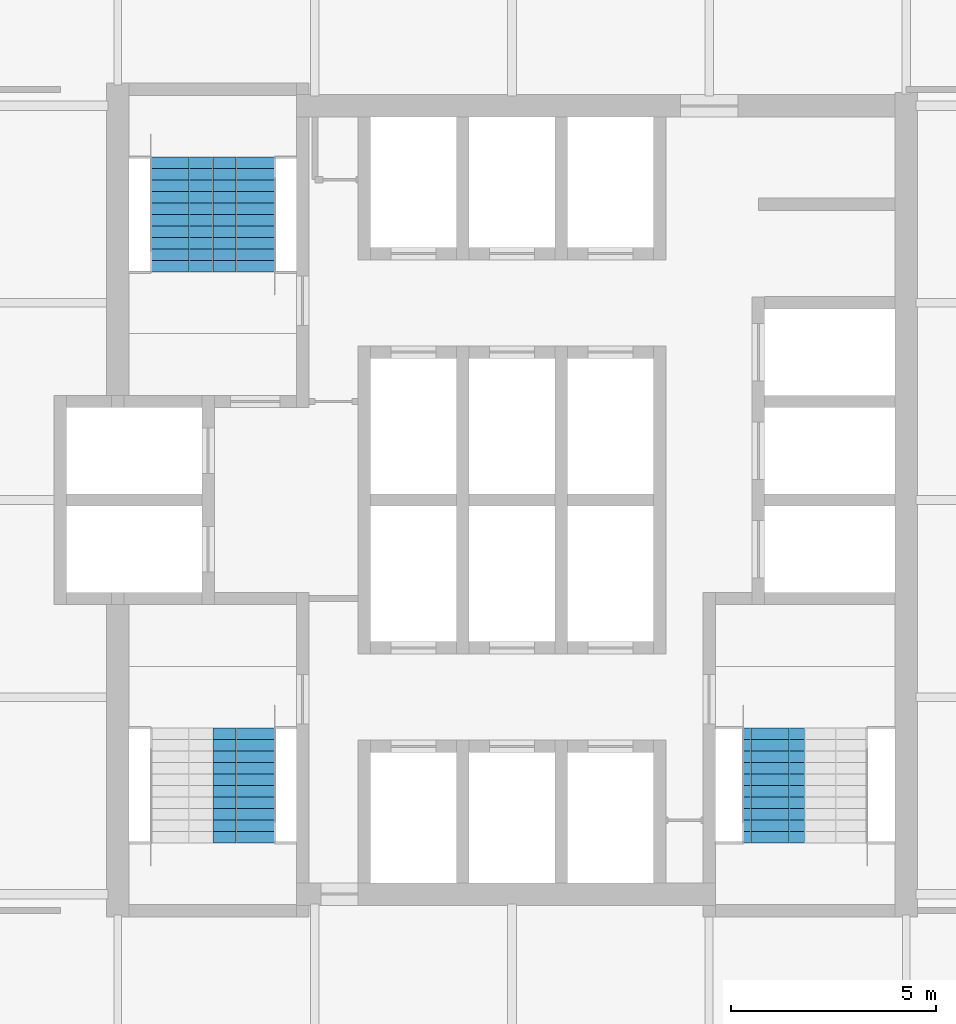
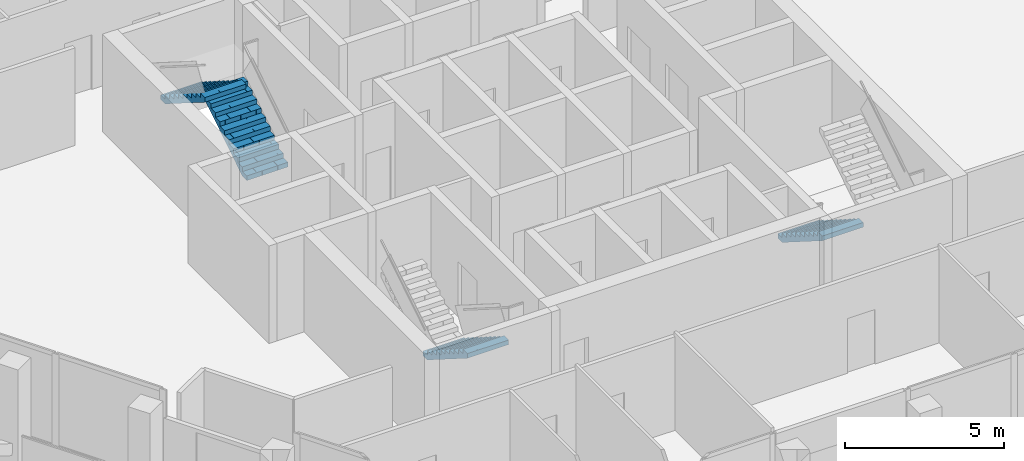
# One storey, part 11 of 14: 4 stair flights, 3 elements without a shape of their own.
"""IFC4 building model written with IfcOpenShell, lengths in metres."""

import ifcopenshell
import ifcopenshell.guid

model = None  # the IFC model being written
_history = None  # IfcOwnerHistory: only IFC2X3 demands one
_inside = {}  # id of a spatial element -> (the spatial element, [elements in it])
_under = {}  # id of a project, library or spatial element -> (it, [spatial elements below it])
_declared = {}  # id of a project -> (the project, [libraries it declares])
_typed = {}  # id of a type object -> (the type object, [elements of that type])
_made_of = {}  # id of a material, layer set ... -> (it, [elements and type objects made of it])


def new_model(schema):
    """Start an empty IFC model of exactly this schema.

    Asked for "IFC4X3", IfcOpenShell would pick the latest addendum, in which some entities
    have other attributes; the version numbers below select the first issue.
    IFC2X3 requires an IfcOwnerHistory on every rooted entity: one is made here for all.
    """
    global model, _history
    if schema == "IFC4X3":
        model = ifcopenshell.file(schema_version=(4, 3, 0, 0))
    else:
        model = ifcopenshell.file(schema=schema)
    _inside.clear()
    _under.clear()
    _declared.clear()
    _typed.clear()
    _made_of.clear()
    _history = None
    if model.schema == "IFC2X3":
        org = make("IfcOrganization", Name="unknown")
        user = make(
            "IfcPersonAndOrganization",
            ThePerson=make("IfcPerson", FamilyName="unknown"),
            TheOrganization=org,
        )
        app = make(
            "IfcApplication",
            ApplicationDeveloper=org,
            Version="unknown",
            ApplicationFullName="unknown",
            ApplicationIdentifier="unknown",
        )
        _history = make(
            "IfcOwnerHistory",
            OwningUser=user,
            OwningApplication=app,
            ChangeAction="ADDED",
            CreationDate=0,
        )
    return model


def make(cls, **values):
    """One entity of the class cls with the attributes given. An attribute that is None is left unset."""
    return model.create_entity(
        cls, **{name: value for name, value in values.items() if value is not None}
    )


def rooted(cls, **values):
    """An entity with a GlobalId (a new one), such as an element, a storey or a relation."""
    return make(cls, GlobalId=ifcopenshell.guid.new(), OwnerHistory=_history, **values)


def si_unit(unit_type, name, prefix=None):
    """IfcSIUnit, for example si_unit("LENGTHUNIT", "METRE", prefix="MILLI")."""
    return make("IfcSIUnit", UnitType=unit_type, Prefix=prefix, Name=name)


def assignment(units):
    """IfcUnitAssignment: the units of a project."""
    return None if units is None else make("IfcUnitAssignment", Units=units)


def point(xyz):
    """IfcCartesianPoint."""
    return None if xyz is None else make("IfcCartesianPoint", Coordinates=xyz)


def direction(xyz):
    """IfcDirection."""
    return None if xyz is None else make("IfcDirection", DirectionRatios=xyz)


def frame(location, z_axis=None, x_axis=None):
    """IfcAxis2Placement3D, a coordinate frame: its origin and axes. An axis left out is left unset."""
    return make(
        "IfcAxis2Placement3D",
        Location=point(location),
        Axis=direction(z_axis),
        RefDirection=direction(x_axis),
    )


def origin():
    """The frame at (0, 0, 0) with its axes left unset."""
    return frame((0.0, 0.0, 0.0))


def place(relative_to, where):
    """IfcLocalPlacement: puts the frame where relative to a parent placement (None: the world)."""
    return make(
        "IfcLocalPlacement", PlacementRelTo=relative_to, RelativePlacement=where
    )


def context(
    kind, dimensions, precision=None, world=None, true_north=None, identifier=None
):
    """IfcGeometricRepresentationContext, for example the 3D "Model" context."""
    return make(
        "IfcGeometricRepresentationContext",
        ContextIdentifier=identifier,
        ContextType=kind,
        CoordinateSpaceDimension=dimensions,
        Precision=precision,
        WorldCoordinateSystem=world,
        TrueNorth=true_north,
    )


def subcontext(parent, identifier, kind, view, scale=None):
    """IfcGeometricRepresentationSubContext, for example "Body" below "Model"."""
    return make(
        "IfcGeometricRepresentationSubContext",
        ContextIdentifier=identifier,
        ContextType=kind,
        ParentContext=parent,
        TargetScale=scale,
        TargetView=view,
    )


def project(units=None, contexts=None):
    """IfcProject with its units and contexts."""
    return rooted(
        "IfcProject",
        Name="project",
        RepresentationContexts=contexts,
        UnitsInContext=assignment(units),
    )


def spatial(cls, under=None, at=None, **own):
    """A site, building, storey or space (cls), placed at a placement, below another one or the project."""
    s = rooted(cls, ObjectPlacement=at, **own)
    if under is not None:
        _under.setdefault(under.id(), (under, []))[1].append(s)
    return s


def polyline(points):
    """IfcPolyline through the points."""
    return make("IfcPolyline", Points=[point(p) for p in points])


def outline(outer, holes=None, kind="AREA"):
    """IfcArbitraryClosedProfileDef: a profile drawn as a closed curve; with holes, ...WithVoids."""
    if holes is None:
        return make("IfcArbitraryClosedProfileDef", ProfileType=kind, OuterCurve=outer)
    return make(
        "IfcArbitraryProfileDefWithVoids",
        ProfileType=kind,
        OuterCurve=outer,
        InnerCurves=holes,
    )


def extrude(swept, where, along, depth):
    """IfcExtrudedAreaSolid: the profile swept, set in the frame where, extruded along a direction by depth."""
    return make(
        "IfcExtrudedAreaSolid",
        SweptArea=swept,
        Position=where,
        ExtrudedDirection=direction(along),
        Depth=depth,
    )


def shape(context_of_items, identifier, shape_type, items):
    """IfcShapeRepresentation: the items that make up one representation, for example the "Body"."""
    return make(
        "IfcShapeRepresentation",
        ContextOfItems=context_of_items,
        RepresentationIdentifier=identifier,
        RepresentationType=shape_type,
        Items=items,
    )


def material(Name=None, Category=None):
    """IfcMaterial."""
    return make("IfcMaterial", Name=Name, Category=Category)


def made_of(thing, what):
    """Note that an element or type object is made of a material, layer set ...; save() writes the relation."""
    if what is not None:
        _made_of.setdefault(what.id(), (what, []))[1].append(thing)
    return thing


def type_object(cls, material=None, **own):
    """A type object (cls), such as IfcWallType, which elements share."""
    return made_of(rooted(cls, **own), material)


def element(
    cls,
    number,
    at=None,
    inside=None,
    cuts=None,
    type_object=None,
    material=None,
    context=None,
    identifier="Body",
    shape_type=None,
    held_by="IfcProductDefinitionShape",
    body=None,
    shapes=None,
    **own,
):
    """One element of the class cls, such as IfcWall. Its Tag is "e" and its number.

    at: its placement. inside: the storey or other place that contains it. cuts: it is an
    opening in that element (IfcRelVoidsElement). A single representation is given by context,
    identifier, shape_type and body (its items); several are given by shapes. held_by: the class
    of the entity that holds the representations. save() writes the other relations.
    """
    e = rooted(cls, Tag="e%d" % number, ObjectPlacement=at, **own)
    if body is not None:
        shapes = [shape(context, identifier, shape_type, body)]
    if shapes is not None:
        e.Representation = make(held_by, Representations=shapes)
    if inside is not None:
        _inside.setdefault(inside.id(), (inside, []))[1].append(e)
    if cuts is not None:
        rooted(
            "IfcRelVoidsElement", RelatingBuildingElement=cuts, RelatedOpeningElement=e
        )
    if type_object is not None:
        _typed.setdefault(type_object.id(), (type_object, []))[1].append(e)
    return made_of(e, material)


def aggregate(whole, parts):
    """IfcRelAggregates: a whole, such as a stair, and the parts it consists of."""
    return rooted("IfcRelAggregates", RelatingObject=whole, RelatedObjects=parts)


def save(model, path):
    """Write the relations noted so far, then the file.

    IfcRelAggregates (storeys below a building ...), IfcRelContainedInSpatialStructure (elements
    in a storey), IfcRelDefinesByType, IfcRelAssociatesMaterial and IfcRelDeclares: one each for
    every whole, place, type object, material and project.
    """
    for whole, parts in _under.values():
        aggregate(whole, parts)
    for where, things in _inside.values():
        rooted(
            "IfcRelContainedInSpatialStructure",
            RelatedElements=things,
            RelatingStructure=where,
        )
    for kind, things in _typed.values():
        rooted("IfcRelDefinesByType", RelatedObjects=things, RelatingType=kind)
    for what, things in _made_of.values():
        rooted("IfcRelAssociatesMaterial", RelatedObjects=things, RelatingMaterial=what)
    for by, libraries in _declared.values():
        rooted("IfcRelDeclares", RelatingContext=by, RelatedDefinitions=libraries)
    model.write(path)


model = new_model("IFC4")

# Units and contexts
model_context = context("Model", 3, precision=1e-05, world=origin(), true_north=direction((0.0, 1.0)))
body_context = subcontext(model_context, "Body", "Model", "MODEL_VIEW")
ifc_project = project(units=[si_unit("LENGTHUNIT", "METRE"), si_unit("AREAUNIT", "SQUARE_METRE"), si_unit("VOLUMEUNIT", "CUBIC_METRE"), si_unit("PLANEANGLEUNIT", "RADIAN"), si_unit("MASSUNIT", "GRAM", prefix="KILO")], contexts=[model_context])

# Site, building, storey
site_placement = place(None, origin())
site = spatial("IfcSite", under=ifc_project, at=site_placement, CompositionType="ELEMENT")
building_placement = place(site_placement, origin())
building = spatial("IfcBuilding", under=site, at=building_placement, Name="Kolab Exchange Tower", CompositionType="ELEMENT")
storey_placement = place(building_placement, frame((0.0, 0.0, 234.5)))
storey = spatial("IfcBuildingStorey", under=building, at=storey_placement, Name="L51", CompositionType="ELEMENT", Elevation=234.5)

# Stair, stair flights
ifc_material = material(Name="Concrete C50/60", Category="concrete")
stair_type_1 = type_object("IfcStairType", Name="STAIR ST1 RISER 177.3", PredefinedType="HALF_TURN_STAIR", material=ifc_material)
stair_1_placement = place(storey_placement, origin())
stair_1 = element("IfcStair", 1, at=stair_1_placement, inside=storey, type_object=stair_type_1, Name="Stair 1", PredefinedType="HALF_TURN_STAIR")
stair_flight_type = type_object("IfcStairFlightType", Name="STAIR FLIGHT 1500 RISER 177.3", PredefinedType="STRAIGHT", material=ifc_material)
stair_flight_1_placement = place(storey_placement, frame((-6.527587890625, 5.550048828125, 0.0), z_axis=(0.0, 0.0, 1.0), x_axis=(0.0, 1.0, 0.0)))
stair_flight_1 = element("IfcStairFlight", 2, at=stair_flight_1_placement, type_object=stair_flight_type, Name="ST1 flight 1", NumberOfRisers=11, NumberOfTreads=10, PredefinedType="STRAIGHT", RiserHeight=0.177272727, TreadLength=0.28, context=body_context, shape_type="SweptSolid", body=[
    extrude(outline(polyline([(0.0, 0.0), (0.0, 0.17724609375), (0.280029296875, 0.17724609375), (0.280029296875, 0.3544921875), (0.56005859375, 0.3544921875), (0.56005859375, 0.53173828125), (0.840087890625, 0.53173828125), (0.840087890625, 0.708984375), (1.1201171875, 0.708984375), (1.1201171875, 0.886474609375), (1.39990234375, 0.886474609375), (1.39990234375, 1.063720703125), (1.679931640625, 1.063720703125), (1.679931640625, 1.240966796875), (1.9599609375, 1.240966796875), (1.9599609375, 1.418212890625), (2.239990234375, 1.418212890625), (2.239990234375, 1.595458984375), (2.52001953125, 1.595458984375), (2.52001953125, 1.772705078125), (2.800048828125, 1.772705078125), (2.800048828125, 1.949951171875), (2.800048828125, 1.59521484375), (0.2802734375, 0.0), (0.0, 0.0)])), frame((0.0, 0.75, 0.0), z_axis=(0.0, -1.0, 0.0), x_axis=(1.0, 0.0, 0.0)), (0.0, 0.0, 1.0), 0.185791015625),
    extrude(outline(polyline([(0.0, 0.0), (0.0, 0.17724609375), (0.280029296875, 0.17724609375), (0.280029296875, 0.3544921875), (0.56005859375, 0.3544921875), (0.56005859375, 0.53173828125), (0.840087890625, 0.53173828125), (0.840087890625, 0.708984375), (1.1201171875, 0.708984375), (1.1201171875, 0.886474609375), (1.39990234375, 0.886474609375), (1.39990234375, 1.063720703125), (1.679931640625, 1.063720703125), (1.679931640625, 1.240966796875), (1.9599609375, 1.240966796875), (1.9599609375, 1.418212890625), (2.239990234375, 1.418212890625), (2.239990234375, 1.595458984375), (2.52001953125, 1.595458984375), (2.52001953125, 1.772705078125), (2.800048828125, 1.772705078125), (2.800048828125, 1.949951171875), (2.800048828125, 1.59521484375), (0.2802734375, 0.0), (0.0, 0.0)])), frame((0.0, 0.562255859375, 0.0), z_axis=(0.0, -1.0, 0.0), x_axis=(1.0, 0.0, 0.0)), (0.0, 0.0, 1.0), 0.185791015625),
    extrude(outline(polyline([(0.0, 0.0), (0.0, 0.17724609375), (0.280029296875, 0.17724609375), (0.280029296875, 0.3544921875), (0.56005859375, 0.3544921875), (0.56005859375, 0.53173828125), (0.840087890625, 0.53173828125), (0.840087890625, 0.708984375), (1.1201171875, 0.708984375), (1.1201171875, 0.886474609375), (1.39990234375, 0.886474609375), (1.39990234375, 1.063720703125), (1.679931640625, 1.063720703125), (1.679931640625, 1.240966796875), (1.9599609375, 1.240966796875), (1.9599609375, 1.418212890625), (2.239990234375, 1.418212890625), (2.239990234375, 1.595458984375), (2.52001953125, 1.595458984375), (2.52001953125, 1.772705078125), (2.800048828125, 1.772705078125), (2.800048828125, 1.949951171875), (2.800048828125, 1.59521484375), (0.2802734375, 0.0), (0.0, 0.0)])), frame((0.0, 0.37451171875, 0.0), z_axis=(0.0, -1.0, 0.0), x_axis=(1.0, 0.0, 0.0)), (0.0, 0.0, 1.0), 0.185791015625),
    extrude(outline(polyline([(0.0, 0.0), (0.0, 0.17724609375), (0.280029296875, 0.17724609375), (0.280029296875, 0.3544921875), (0.56005859375, 0.3544921875), (0.56005859375, 0.53173828125), (0.840087890625, 0.53173828125), (0.840087890625, 0.708984375), (1.1201171875, 0.708984375), (1.1201171875, 0.886474609375), (1.39990234375, 0.886474609375), (1.39990234375, 1.063720703125), (1.679931640625, 1.063720703125), (1.679931640625, 1.240966796875), (1.9599609375, 1.240966796875), (1.9599609375, 1.418212890625), (2.239990234375, 1.418212890625), (2.239990234375, 1.595458984375), (2.52001953125, 1.595458984375), (2.52001953125, 1.772705078125), (2.800048828125, 1.772705078125), (2.800048828125, 1.949951171875), (2.800048828125, 1.59521484375), (0.2802734375, 0.0), (0.0, 0.0)])), frame((0.0, 0.186767578125, 0.0), z_axis=(0.0, -1.0, 0.0), x_axis=(1.0, 0.0, 0.0)), (0.0, 0.0, 1.0), 0.185791015625),
    extrude(outline(polyline([(0.0, 0.0), (0.0, 0.17724609375), (0.280029296875, 0.17724609375), (0.280029296875, 0.3544921875), (0.56005859375, 0.3544921875), (0.56005859375, 0.53173828125), (0.840087890625, 0.53173828125), (0.840087890625, 0.708984375), (1.1201171875, 0.708984375), (1.1201171875, 0.886474609375), (1.39990234375, 0.886474609375), (1.39990234375, 1.063720703125), (1.679931640625, 1.063720703125), (1.679931640625, 1.240966796875), (1.9599609375, 1.240966796875), (1.9599609375, 1.418212890625), (2.239990234375, 1.418212890625), (2.239990234375, 1.595458984375), (2.52001953125, 1.595458984375), (2.52001953125, 1.772705078125), (2.800048828125, 1.772705078125), (2.800048828125, 1.949951171875), (2.800048828125, 1.59521484375), (0.2802734375, 0.0), (0.0, 0.0)])), frame((0.0, -0.0009765625, 0.0), z_axis=(0.0, -1.0, 0.0), x_axis=(1.0, 0.0, 0.0)), (0.0, 0.0, 1.0), 0.185791015625),
    extrude(outline(polyline([(0.0, 0.0), (0.0, 0.17724609375), (0.280029296875, 0.17724609375), (0.280029296875, 0.3544921875), (0.56005859375, 0.3544921875), (0.56005859375, 0.53173828125), (0.840087890625, 0.53173828125), (0.840087890625, 0.708984375), (1.1201171875, 0.708984375), (1.1201171875, 0.886474609375), (1.39990234375, 0.886474609375), (1.39990234375, 1.063720703125), (1.679931640625, 1.063720703125), (1.679931640625, 1.240966796875), (1.9599609375, 1.240966796875), (1.9599609375, 1.418212890625), (2.239990234375, 1.418212890625), (2.239990234375, 1.595458984375), (2.52001953125, 1.595458984375), (2.52001953125, 1.772705078125), (2.800048828125, 1.772705078125), (2.800048828125, 1.949951171875), (2.800048828125, 1.59521484375), (0.2802734375, 0.0), (0.0, 0.0)])), frame((0.0, -0.188720703125, 0.0), z_axis=(0.0, -1.0, 0.0), x_axis=(1.0, 0.0, 0.0)), (0.0, 0.0, 1.0), 0.185791015625),
    extrude(outline(polyline([(0.0, 0.0), (0.0, 0.17724609375), (0.280029296875, 0.17724609375), (0.280029296875, 0.3544921875), (0.56005859375, 0.3544921875), (0.56005859375, 0.53173828125), (0.840087890625, 0.53173828125), (0.840087890625, 0.708984375), (1.1201171875, 0.708984375), (1.1201171875, 0.886474609375), (1.39990234375, 0.886474609375), (1.39990234375, 1.063720703125), (1.679931640625, 1.063720703125), (1.679931640625, 1.240966796875), (1.9599609375, 1.240966796875), (1.9599609375, 1.418212890625), (2.239990234375, 1.418212890625), (2.239990234375, 1.595458984375), (2.52001953125, 1.595458984375), (2.52001953125, 1.772705078125), (2.800048828125, 1.772705078125), (2.800048828125, 1.949951171875), (2.800048828125, 1.59521484375), (0.2802734375, 0.0), (0.0, 0.0)])), frame((0.0, -0.37646484375, 0.0), z_axis=(0.0, -1.0, 0.0), x_axis=(1.0, 0.0, 0.0)), (0.0, 0.0, 1.0), 0.185791015625),
    extrude(outline(polyline([(0.0, 0.0), (0.0, 0.17724609375), (0.280029296875, 0.17724609375), (0.280029296875, 0.3544921875), (0.56005859375, 0.3544921875), (0.56005859375, 0.53173828125), (0.840087890625, 0.53173828125), (0.840087890625, 0.708984375), (1.1201171875, 0.708984375), (1.1201171875, 0.886474609375), (1.39990234375, 0.886474609375), (1.39990234375, 1.063720703125), (1.679931640625, 1.063720703125), (1.679931640625, 1.240966796875), (1.9599609375, 1.240966796875), (1.9599609375, 1.418212890625), (2.239990234375, 1.418212890625), (2.239990234375, 1.595458984375), (2.52001953125, 1.595458984375), (2.52001953125, 1.772705078125), (2.800048828125, 1.772705078125), (2.800048828125, 1.949951171875), (2.800048828125, 1.59521484375), (0.2802734375, 0.0), (0.0, 0.0)])), frame((0.0, -0.564208984375, 0.0), z_axis=(0.0, -1.0, 0.0), x_axis=(1.0, 0.0, 0.0)), (0.0, 0.0, 1.0), 0.185791015625),
])
stair_flight_2_placement = place(storey_placement, frame((-8.047607421875, 8.35009765625, 1.949951171875), z_axis=(0.0, 0.0, 1.0), x_axis=(0.0, -1.0, 0.0)))
stair_flight_2 = element("IfcStairFlight", 3, at=stair_flight_2_placement, type_object=stair_flight_type, Name="ST1 flight 2", NumberOfRisers=11, NumberOfTreads=10, PredefinedType="STRAIGHT", RiserHeight=0.177272727, TreadLength=0.28, context=body_context, shape_type="SweptSolid", body=[
    extrude(outline(polyline([(0.0, 0.0), (0.0, 0.17724609375), (0.280029296875, 0.17724609375), (0.280029296875, 0.3544921875), (0.56005859375, 0.3544921875), (0.56005859375, 0.53173828125), (0.840087890625, 0.53173828125), (0.840087890625, 0.708984375), (1.1201171875, 0.708984375), (1.1201171875, 0.886474609375), (1.39990234375, 0.886474609375), (1.39990234375, 1.063720703125), (1.679931640625, 1.063720703125), (1.679931640625, 1.240966796875), (1.9599609375, 1.240966796875), (1.9599609375, 1.418212890625), (2.239990234375, 1.418212890625), (2.239990234375, 1.595458984375), (2.52001953125, 1.595458984375), (2.52001953125, 1.772705078125), (2.800048828125, 1.772705078125), (2.800048828125, 1.949951171875), (2.800048828125, 1.59521484375), (0.2802734375, 0.0), (0.0, 0.0)])), frame((0.0, 0.75, 0.0), z_axis=(0.0, -1.0, 0.0), x_axis=(1.0, 0.0, 0.0)), (0.0, 0.0, 1.0), 0.185791015625),
    extrude(outline(polyline([(0.0, 0.0), (0.0, 0.17724609375), (0.280029296875, 0.17724609375), (0.280029296875, 0.3544921875), (0.56005859375, 0.3544921875), (0.56005859375, 0.53173828125), (0.840087890625, 0.53173828125), (0.840087890625, 0.708984375), (1.1201171875, 0.708984375), (1.1201171875, 0.886474609375), (1.39990234375, 0.886474609375), (1.39990234375, 1.063720703125), (1.679931640625, 1.063720703125), (1.679931640625, 1.240966796875), (1.9599609375, 1.240966796875), (1.9599609375, 1.418212890625), (2.239990234375, 1.418212890625), (2.239990234375, 1.595458984375), (2.52001953125, 1.595458984375), (2.52001953125, 1.772705078125), (2.800048828125, 1.772705078125), (2.800048828125, 1.949951171875), (2.800048828125, 1.59521484375), (0.2802734375, 0.0), (0.0, 0.0)])), frame((0.0, 0.562255859375, 0.0), z_axis=(0.0, -1.0, 0.0), x_axis=(1.0, 0.0, 0.0)), (0.0, 0.0, 1.0), 0.185791015625),
    extrude(outline(polyline([(0.0, 0.0), (0.0, 0.17724609375), (0.280029296875, 0.17724609375), (0.280029296875, 0.3544921875), (0.56005859375, 0.3544921875), (0.56005859375, 0.53173828125), (0.840087890625, 0.53173828125), (0.840087890625, 0.708984375), (1.1201171875, 0.708984375), (1.1201171875, 0.886474609375), (1.39990234375, 0.886474609375), (1.39990234375, 1.063720703125), (1.679931640625, 1.063720703125), (1.679931640625, 1.240966796875), (1.9599609375, 1.240966796875), (1.9599609375, 1.418212890625), (2.239990234375, 1.418212890625), (2.239990234375, 1.595458984375), (2.52001953125, 1.595458984375), (2.52001953125, 1.772705078125), (2.800048828125, 1.772705078125), (2.800048828125, 1.949951171875), (2.800048828125, 1.59521484375), (0.2802734375, 0.0), (0.0, 0.0)])), frame((0.0, 0.37451171875, 0.0), z_axis=(0.0, -1.0, 0.0), x_axis=(1.0, 0.0, 0.0)), (0.0, 0.0, 1.0), 0.185791015625),
    extrude(outline(polyline([(0.0, 0.0), (0.0, 0.17724609375), (0.280029296875, 0.17724609375), (0.280029296875, 0.3544921875), (0.56005859375, 0.3544921875), (0.56005859375, 0.53173828125), (0.840087890625, 0.53173828125), (0.840087890625, 0.708984375), (1.1201171875, 0.708984375), (1.1201171875, 0.886474609375), (1.39990234375, 0.886474609375), (1.39990234375, 1.063720703125), (1.679931640625, 1.063720703125), (1.679931640625, 1.240966796875), (1.9599609375, 1.240966796875), (1.9599609375, 1.418212890625), (2.239990234375, 1.418212890625), (2.239990234375, 1.595458984375), (2.52001953125, 1.595458984375), (2.52001953125, 1.772705078125), (2.800048828125, 1.772705078125), (2.800048828125, 1.949951171875), (2.800048828125, 1.59521484375), (0.2802734375, 0.0), (0.0, 0.0)])), frame((0.0, 0.186767578125, 0.0), z_axis=(0.0, -1.0, 0.0), x_axis=(1.0, 0.0, 0.0)), (0.0, 0.0, 1.0), 0.185791015625),
    extrude(outline(polyline([(0.0, 0.0), (0.0, 0.17724609375), (0.280029296875, 0.17724609375), (0.280029296875, 0.3544921875), (0.56005859375, 0.3544921875), (0.56005859375, 0.53173828125), (0.840087890625, 0.53173828125), (0.840087890625, 0.708984375), (1.1201171875, 0.708984375), (1.1201171875, 0.886474609375), (1.39990234375, 0.886474609375), (1.39990234375, 1.063720703125), (1.679931640625, 1.063720703125), (1.679931640625, 1.240966796875), (1.9599609375, 1.240966796875), (1.9599609375, 1.418212890625), (2.239990234375, 1.418212890625), (2.239990234375, 1.595458984375), (2.52001953125, 1.595458984375), (2.52001953125, 1.772705078125), (2.800048828125, 1.772705078125), (2.800048828125, 1.949951171875), (2.800048828125, 1.59521484375), (0.2802734375, 0.0), (0.0, 0.0)])), frame((0.0, -0.0009765625, 0.0), z_axis=(0.0, -1.0, 0.0), x_axis=(1.0, 0.0, 0.0)), (0.0, 0.0, 1.0), 0.185791015625),
    extrude(outline(polyline([(0.0, 0.0), (0.0, 0.17724609375), (0.280029296875, 0.17724609375), (0.280029296875, 0.3544921875), (0.56005859375, 0.3544921875), (0.56005859375, 0.53173828125), (0.840087890625, 0.53173828125), (0.840087890625, 0.708984375), (1.1201171875, 0.708984375), (1.1201171875, 0.886474609375), (1.39990234375, 0.886474609375), (1.39990234375, 1.063720703125), (1.679931640625, 1.063720703125), (1.679931640625, 1.240966796875), (1.9599609375, 1.240966796875), (1.9599609375, 1.418212890625), (2.239990234375, 1.418212890625), (2.239990234375, 1.595458984375), (2.52001953125, 1.595458984375), (2.52001953125, 1.772705078125), (2.800048828125, 1.772705078125), (2.800048828125, 1.949951171875), (2.800048828125, 1.59521484375), (0.2802734375, 0.0), (0.0, 0.0)])), frame((0.0, -0.188720703125, 0.0), z_axis=(0.0, -1.0, 0.0), x_axis=(1.0, 0.0, 0.0)), (0.0, 0.0, 1.0), 0.185791015625),
    extrude(outline(polyline([(0.0, 0.0), (0.0, 0.17724609375), (0.280029296875, 0.17724609375), (0.280029296875, 0.3544921875), (0.56005859375, 0.3544921875), (0.56005859375, 0.53173828125), (0.840087890625, 0.53173828125), (0.840087890625, 0.708984375), (1.1201171875, 0.708984375), (1.1201171875, 0.886474609375), (1.39990234375, 0.886474609375), (1.39990234375, 1.063720703125), (1.679931640625, 1.063720703125), (1.679931640625, 1.240966796875), (1.9599609375, 1.240966796875), (1.9599609375, 1.418212890625), (2.239990234375, 1.418212890625), (2.239990234375, 1.595458984375), (2.52001953125, 1.595458984375), (2.52001953125, 1.772705078125), (2.800048828125, 1.772705078125), (2.800048828125, 1.949951171875), (2.800048828125, 1.59521484375), (0.2802734375, 0.0), (0.0, 0.0)])), frame((0.0, -0.37646484375, 0.0), z_axis=(0.0, -1.0, 0.0), x_axis=(1.0, 0.0, 0.0)), (0.0, 0.0, 1.0), 0.185791015625),
    extrude(outline(polyline([(0.0, 0.0), (0.0, 0.17724609375), (0.280029296875, 0.17724609375), (0.280029296875, 0.3544921875), (0.56005859375, 0.3544921875), (0.56005859375, 0.53173828125), (0.840087890625, 0.53173828125), (0.840087890625, 0.708984375), (1.1201171875, 0.708984375), (1.1201171875, 0.886474609375), (1.39990234375, 0.886474609375), (1.39990234375, 1.063720703125), (1.679931640625, 1.063720703125), (1.679931640625, 1.240966796875), (1.9599609375, 1.240966796875), (1.9599609375, 1.418212890625), (2.239990234375, 1.418212890625), (2.239990234375, 1.595458984375), (2.52001953125, 1.595458984375), (2.52001953125, 1.772705078125), (2.800048828125, 1.772705078125), (2.800048828125, 1.949951171875), (2.800048828125, 1.59521484375), (0.2802734375, 0.0), (0.0, 0.0)])), frame((0.0, -0.564208984375, 0.0), z_axis=(0.0, -1.0, 0.0), x_axis=(1.0, 0.0, 0.0)), (0.0, 0.0, 1.0), 0.185791015625),
])
aggregate(stair_1, [stair_flight_1, stair_flight_2])

# Stair, stair flight
stair_type_2 = type_object("IfcStairType", Name="STAIR ST3 RISER 177.3", PredefinedType="HALF_TURN_STAIR", material=ifc_material)
stair_2_placement = place(storey_placement, origin())
stair_2 = element("IfcStair", 4, at=stair_2_placement, inside=storey, type_object=stair_type_2, Name="Stair 3", PredefinedType="HALF_TURN_STAIR")
stair_flight_3_placement = place(storey_placement, frame((-6.527587890625, -5.550048828125, 0.0), z_axis=(0.0, 0.0, 1.0), x_axis=(0.0, -1.0, 0.0)))
stair_flight_3 = element("IfcStairFlight", 5, at=stair_flight_3_placement, type_object=stair_flight_type, Name="ST3 flight 1", NumberOfRisers=11, NumberOfTreads=10, PredefinedType="STRAIGHT", RiserHeight=0.177272727, TreadLength=0.28, context=body_context, shape_type="SweptSolid", body=[
    extrude(outline(polyline([(0.0, 0.0), (0.0, 0.17724609375), (0.280029296875, 0.17724609375), (0.280029296875, 0.3544921875), (0.56005859375, 0.3544921875), (0.56005859375, 0.53173828125), (0.840087890625, 0.53173828125), (0.840087890625, 0.708984375), (1.1201171875, 0.708984375), (1.1201171875, 0.886474609375), (1.39990234375, 0.886474609375), (1.39990234375, 1.063720703125), (1.679931640625, 1.063720703125), (1.679931640625, 1.240966796875), (1.9599609375, 1.240966796875), (1.9599609375, 1.418212890625), (2.239990234375, 1.418212890625), (2.239990234375, 1.595458984375), (2.52001953125, 1.595458984375), (2.52001953125, 1.772705078125), (2.800048828125, 1.772705078125), (2.800048828125, 1.949951171875), (2.800048828125, 1.59521484375), (0.2802734375, 0.0), (0.0, 0.0)])), frame((0.0, 0.75, 0.0), z_axis=(0.0, -1.0, 0.0), x_axis=(1.0, 0.0, 0.0)), (0.0, 0.0, 1.0), 0.185791015625),
    extrude(outline(polyline([(0.0, 0.0), (0.0, 0.17724609375), (0.280029296875, 0.17724609375), (0.280029296875, 0.3544921875), (0.56005859375, 0.3544921875), (0.56005859375, 0.53173828125), (0.840087890625, 0.53173828125), (0.840087890625, 0.708984375), (1.1201171875, 0.708984375), (1.1201171875, 0.886474609375), (1.39990234375, 0.886474609375), (1.39990234375, 1.063720703125), (1.679931640625, 1.063720703125), (1.679931640625, 1.240966796875), (1.9599609375, 1.240966796875), (1.9599609375, 1.418212890625), (2.239990234375, 1.418212890625), (2.239990234375, 1.595458984375), (2.52001953125, 1.595458984375), (2.52001953125, 1.772705078125), (2.800048828125, 1.772705078125), (2.800048828125, 1.949951171875), (2.800048828125, 1.59521484375), (0.2802734375, 0.0), (0.0, 0.0)])), frame((0.0, 0.562255859375, 0.0), z_axis=(0.0, -1.0, 0.0), x_axis=(1.0, 0.0, 0.0)), (0.0, 0.0, 1.0), 0.185791015625),
    extrude(outline(polyline([(0.0, 0.0), (0.0, 0.17724609375), (0.280029296875, 0.17724609375), (0.280029296875, 0.3544921875), (0.56005859375, 0.3544921875), (0.56005859375, 0.53173828125), (0.840087890625, 0.53173828125), (0.840087890625, 0.708984375), (1.1201171875, 0.708984375), (1.1201171875, 0.886474609375), (1.39990234375, 0.886474609375), (1.39990234375, 1.063720703125), (1.679931640625, 1.063720703125), (1.679931640625, 1.240966796875), (1.9599609375, 1.240966796875), (1.9599609375, 1.418212890625), (2.239990234375, 1.418212890625), (2.239990234375, 1.595458984375), (2.52001953125, 1.595458984375), (2.52001953125, 1.772705078125), (2.800048828125, 1.772705078125), (2.800048828125, 1.949951171875), (2.800048828125, 1.59521484375), (0.2802734375, 0.0), (0.0, 0.0)])), frame((0.0, 0.37451171875, 0.0), z_axis=(0.0, -1.0, 0.0), x_axis=(1.0, 0.0, 0.0)), (0.0, 0.0, 1.0), 0.185791015625),
    extrude(outline(polyline([(0.0, 0.0), (0.0, 0.17724609375), (0.280029296875, 0.17724609375), (0.280029296875, 0.3544921875), (0.56005859375, 0.3544921875), (0.56005859375, 0.53173828125), (0.840087890625, 0.53173828125), (0.840087890625, 0.708984375), (1.1201171875, 0.708984375), (1.1201171875, 0.886474609375), (1.39990234375, 0.886474609375), (1.39990234375, 1.063720703125), (1.679931640625, 1.063720703125), (1.679931640625, 1.240966796875), (1.9599609375, 1.240966796875), (1.9599609375, 1.418212890625), (2.239990234375, 1.418212890625), (2.239990234375, 1.595458984375), (2.52001953125, 1.595458984375), (2.52001953125, 1.772705078125), (2.800048828125, 1.772705078125), (2.800048828125, 1.949951171875), (2.800048828125, 1.59521484375), (0.2802734375, 0.0), (0.0, 0.0)])), frame((0.0, 0.186767578125, 0.0), z_axis=(0.0, -1.0, 0.0), x_axis=(1.0, 0.0, 0.0)), (0.0, 0.0, 1.0), 0.185791015625),
    extrude(outline(polyline([(0.0, 0.0), (0.0, 0.17724609375), (0.280029296875, 0.17724609375), (0.280029296875, 0.3544921875), (0.56005859375, 0.3544921875), (0.56005859375, 0.53173828125), (0.840087890625, 0.53173828125), (0.840087890625, 0.708984375), (1.1201171875, 0.708984375), (1.1201171875, 0.886474609375), (1.39990234375, 0.886474609375), (1.39990234375, 1.063720703125), (1.679931640625, 1.063720703125), (1.679931640625, 1.240966796875), (1.9599609375, 1.240966796875), (1.9599609375, 1.418212890625), (2.239990234375, 1.418212890625), (2.239990234375, 1.595458984375), (2.52001953125, 1.595458984375), (2.52001953125, 1.772705078125), (2.800048828125, 1.772705078125), (2.800048828125, 1.949951171875), (2.800048828125, 1.59521484375), (0.2802734375, 0.0), (0.0, 0.0)])), frame((0.0, -0.0009765625, 0.0), z_axis=(0.0, -1.0, 0.0), x_axis=(1.0, 0.0, 0.0)), (0.0, 0.0, 1.0), 0.185791015625),
    extrude(outline(polyline([(0.0, 0.0), (0.0, 0.17724609375), (0.280029296875, 0.17724609375), (0.280029296875, 0.3544921875), (0.56005859375, 0.3544921875), (0.56005859375, 0.53173828125), (0.840087890625, 0.53173828125), (0.840087890625, 0.708984375), (1.1201171875, 0.708984375), (1.1201171875, 0.886474609375), (1.39990234375, 0.886474609375), (1.39990234375, 1.063720703125), (1.679931640625, 1.063720703125), (1.679931640625, 1.240966796875), (1.9599609375, 1.240966796875), (1.9599609375, 1.418212890625), (2.239990234375, 1.418212890625), (2.239990234375, 1.595458984375), (2.52001953125, 1.595458984375), (2.52001953125, 1.772705078125), (2.800048828125, 1.772705078125), (2.800048828125, 1.949951171875), (2.800048828125, 1.59521484375), (0.2802734375, 0.0), (0.0, 0.0)])), frame((0.0, -0.188720703125, 0.0), z_axis=(0.0, -1.0, 0.0), x_axis=(1.0, 0.0, 0.0)), (0.0, 0.0, 1.0), 0.185791015625),
    extrude(outline(polyline([(0.0, 0.0), (0.0, 0.17724609375), (0.280029296875, 0.17724609375), (0.280029296875, 0.3544921875), (0.56005859375, 0.3544921875), (0.56005859375, 0.53173828125), (0.840087890625, 0.53173828125), (0.840087890625, 0.708984375), (1.1201171875, 0.708984375), (1.1201171875, 0.886474609375), (1.39990234375, 0.886474609375), (1.39990234375, 1.063720703125), (1.679931640625, 1.063720703125), (1.679931640625, 1.240966796875), (1.9599609375, 1.240966796875), (1.9599609375, 1.418212890625), (2.239990234375, 1.418212890625), (2.239990234375, 1.595458984375), (2.52001953125, 1.595458984375), (2.52001953125, 1.772705078125), (2.800048828125, 1.772705078125), (2.800048828125, 1.949951171875), (2.800048828125, 1.59521484375), (0.2802734375, 0.0), (0.0, 0.0)])), frame((0.0, -0.37646484375, 0.0), z_axis=(0.0, -1.0, 0.0), x_axis=(1.0, 0.0, 0.0)), (0.0, 0.0, 1.0), 0.185791015625),
    extrude(outline(polyline([(0.0, 0.0), (0.0, 0.17724609375), (0.280029296875, 0.17724609375), (0.280029296875, 0.3544921875), (0.56005859375, 0.3544921875), (0.56005859375, 0.53173828125), (0.840087890625, 0.53173828125), (0.840087890625, 0.708984375), (1.1201171875, 0.708984375), (1.1201171875, 0.886474609375), (1.39990234375, 0.886474609375), (1.39990234375, 1.063720703125), (1.679931640625, 1.063720703125), (1.679931640625, 1.240966796875), (1.9599609375, 1.240966796875), (1.9599609375, 1.418212890625), (2.239990234375, 1.418212890625), (2.239990234375, 1.595458984375), (2.52001953125, 1.595458984375), (2.52001953125, 1.772705078125), (2.800048828125, 1.772705078125), (2.800048828125, 1.949951171875), (2.800048828125, 1.59521484375), (0.2802734375, 0.0), (0.0, 0.0)])), frame((0.0, -0.564208984375, 0.0), z_axis=(0.0, -1.0, 0.0), x_axis=(1.0, 0.0, 0.0)), (0.0, 0.0, 1.0), 0.185791015625),
])
aggregate(stair_2, [stair_flight_3])

stair_type_3 = type_object("IfcStairType", Name="STAIR ST2 RISER 177.3", PredefinedType="HALF_TURN_STAIR", material=ifc_material)
stair_3_placement = place(storey_placement, origin())
stair_3 = element("IfcStair", 6, at=stair_3_placement, inside=storey, type_object=stair_type_3, Name="Stair 2", PredefinedType="HALF_TURN_STAIR")
stair_flight_4_placement = place(storey_placement, frame((6.37744140625, -5.550048828125, 0.0), z_axis=(0.0, 0.0, 1.0), x_axis=(0.0, -1.0, 0.0)))
stair_flight_4 = element("IfcStairFlight", 7, at=stair_flight_4_placement, type_object=stair_flight_type, Name="ST2 flight 1", NumberOfRisers=11, NumberOfTreads=10, PredefinedType="STRAIGHT", RiserHeight=0.177272727, TreadLength=0.28, context=body_context, shape_type="SweptSolid", body=[
    extrude(outline(polyline([(0.0, 0.0), (0.0, 0.17724609375), (0.280029296875, 0.17724609375), (0.280029296875, 0.3544921875), (0.56005859375, 0.3544921875), (0.56005859375, 0.53173828125), (0.840087890625, 0.53173828125), (0.840087890625, 0.708984375), (1.1201171875, 0.708984375), (1.1201171875, 0.886474609375), (1.39990234375, 0.886474609375), (1.39990234375, 1.063720703125), (1.679931640625, 1.063720703125), (1.679931640625, 1.240966796875), (1.9599609375, 1.240966796875), (1.9599609375, 1.418212890625), (2.239990234375, 1.418212890625), (2.239990234375, 1.595458984375), (2.52001953125, 1.595458984375), (2.52001953125, 1.772705078125), (2.800048828125, 1.772705078125), (2.800048828125, 1.949951171875), (2.800048828125, 1.59521484375), (0.2802734375, 0.0), (0.0, 0.0)])), frame((0.0, 0.75, 0.0), z_axis=(0.0, -1.0, 0.0), x_axis=(1.0, 0.0, 0.0)), (0.0, 0.0, 1.0), 0.185791015625),
    extrude(outline(polyline([(0.0, 0.0), (0.0, 0.17724609375), (0.280029296875, 0.17724609375), (0.280029296875, 0.3544921875), (0.56005859375, 0.3544921875), (0.56005859375, 0.53173828125), (0.840087890625, 0.53173828125), (0.840087890625, 0.708984375), (1.1201171875, 0.708984375), (1.1201171875, 0.886474609375), (1.39990234375, 0.886474609375), (1.39990234375, 1.063720703125), (1.679931640625, 1.063720703125), (1.679931640625, 1.240966796875), (1.9599609375, 1.240966796875), (1.9599609375, 1.418212890625), (2.239990234375, 1.418212890625), (2.239990234375, 1.595458984375), (2.52001953125, 1.595458984375), (2.52001953125, 1.772705078125), (2.800048828125, 1.772705078125), (2.800048828125, 1.949951171875), (2.800048828125, 1.59521484375), (0.2802734375, 0.0), (0.0, 0.0)])), frame((0.0, 0.562255859375, 0.0), z_axis=(0.0, -1.0, 0.0), x_axis=(1.0, 0.0, 0.0)), (0.0, 0.0, 1.0), 0.185791015625),
    extrude(outline(polyline([(0.0, 0.0), (0.0, 0.17724609375), (0.280029296875, 0.17724609375), (0.280029296875, 0.3544921875), (0.56005859375, 0.3544921875), (0.56005859375, 0.53173828125), (0.840087890625, 0.53173828125), (0.840087890625, 0.708984375), (1.1201171875, 0.708984375), (1.1201171875, 0.886474609375), (1.39990234375, 0.886474609375), (1.39990234375, 1.063720703125), (1.679931640625, 1.063720703125), (1.679931640625, 1.240966796875), (1.9599609375, 1.240966796875), (1.9599609375, 1.418212890625), (2.239990234375, 1.418212890625), (2.239990234375, 1.595458984375), (2.52001953125, 1.595458984375), (2.52001953125, 1.772705078125), (2.800048828125, 1.772705078125), (2.800048828125, 1.949951171875), (2.800048828125, 1.59521484375), (0.2802734375, 0.0), (0.0, 0.0)])), frame((0.0, 0.37451171875, 0.0), z_axis=(0.0, -1.0, 0.0), x_axis=(1.0, 0.0, 0.0)), (0.0, 0.0, 1.0), 0.185791015625),
    extrude(outline(polyline([(0.0, 0.0), (0.0, 0.17724609375), (0.280029296875, 0.17724609375), (0.280029296875, 0.3544921875), (0.56005859375, 0.3544921875), (0.56005859375, 0.53173828125), (0.840087890625, 0.53173828125), (0.840087890625, 0.708984375), (1.1201171875, 0.708984375), (1.1201171875, 0.886474609375), (1.39990234375, 0.886474609375), (1.39990234375, 1.063720703125), (1.679931640625, 1.063720703125), (1.679931640625, 1.240966796875), (1.9599609375, 1.240966796875), (1.9599609375, 1.418212890625), (2.239990234375, 1.418212890625), (2.239990234375, 1.595458984375), (2.52001953125, 1.595458984375), (2.52001953125, 1.772705078125), (2.800048828125, 1.772705078125), (2.800048828125, 1.949951171875), (2.800048828125, 1.59521484375), (0.2802734375, 0.0), (0.0, 0.0)])), frame((0.0, 0.186767578125, 0.0), z_axis=(0.0, -1.0, 0.0), x_axis=(1.0, 0.0, 0.0)), (0.0, 0.0, 1.0), 0.185791015625),
    extrude(outline(polyline([(0.0, 0.0), (0.0, 0.17724609375), (0.280029296875, 0.17724609375), (0.280029296875, 0.3544921875), (0.56005859375, 0.3544921875), (0.56005859375, 0.53173828125), (0.840087890625, 0.53173828125), (0.840087890625, 0.708984375), (1.1201171875, 0.708984375), (1.1201171875, 0.886474609375), (1.39990234375, 0.886474609375), (1.39990234375, 1.063720703125), (1.679931640625, 1.063720703125), (1.679931640625, 1.240966796875), (1.9599609375, 1.240966796875), (1.9599609375, 1.418212890625), (2.239990234375, 1.418212890625), (2.239990234375, 1.595458984375), (2.52001953125, 1.595458984375), (2.52001953125, 1.772705078125), (2.800048828125, 1.772705078125), (2.800048828125, 1.949951171875), (2.800048828125, 1.59521484375), (0.2802734375, 0.0), (0.0, 0.0)])), frame((0.0, -0.0009765625, 0.0), z_axis=(0.0, -1.0, 0.0), x_axis=(1.0, 0.0, 0.0)), (0.0, 0.0, 1.0), 0.185791015625),
    extrude(outline(polyline([(0.0, 0.0), (0.0, 0.17724609375), (0.280029296875, 0.17724609375), (0.280029296875, 0.3544921875), (0.56005859375, 0.3544921875), (0.56005859375, 0.53173828125), (0.840087890625, 0.53173828125), (0.840087890625, 0.708984375), (1.1201171875, 0.708984375), (1.1201171875, 0.886474609375), (1.39990234375, 0.886474609375), (1.39990234375, 1.063720703125), (1.679931640625, 1.063720703125), (1.679931640625, 1.240966796875), (1.9599609375, 1.240966796875), (1.9599609375, 1.418212890625), (2.239990234375, 1.418212890625), (2.239990234375, 1.595458984375), (2.52001953125, 1.595458984375), (2.52001953125, 1.772705078125), (2.800048828125, 1.772705078125), (2.800048828125, 1.949951171875), (2.800048828125, 1.59521484375), (0.2802734375, 0.0), (0.0, 0.0)])), frame((0.0, -0.188720703125, 0.0), z_axis=(0.0, -1.0, 0.0), x_axis=(1.0, 0.0, 0.0)), (0.0, 0.0, 1.0), 0.185791015625),
    extrude(outline(polyline([(0.0, 0.0), (0.0, 0.17724609375), (0.280029296875, 0.17724609375), (0.280029296875, 0.3544921875), (0.56005859375, 0.3544921875), (0.56005859375, 0.53173828125), (0.840087890625, 0.53173828125), (0.840087890625, 0.708984375), (1.1201171875, 0.708984375), (1.1201171875, 0.886474609375), (1.39990234375, 0.886474609375), (1.39990234375, 1.063720703125), (1.679931640625, 1.063720703125), (1.679931640625, 1.240966796875), (1.9599609375, 1.240966796875), (1.9599609375, 1.418212890625), (2.239990234375, 1.418212890625), (2.239990234375, 1.595458984375), (2.52001953125, 1.595458984375), (2.52001953125, 1.772705078125), (2.800048828125, 1.772705078125), (2.800048828125, 1.949951171875), (2.800048828125, 1.59521484375), (0.2802734375, 0.0), (0.0, 0.0)])), frame((0.0, -0.37646484375, 0.0), z_axis=(0.0, -1.0, 0.0), x_axis=(1.0, 0.0, 0.0)), (0.0, 0.0, 1.0), 0.185791015625),
    extrude(outline(polyline([(0.0, 0.0), (0.0, 0.17724609375), (0.280029296875, 0.17724609375), (0.280029296875, 0.3544921875), (0.56005859375, 0.3544921875), (0.56005859375, 0.53173828125), (0.840087890625, 0.53173828125), (0.840087890625, 0.708984375), (1.1201171875, 0.708984375), (1.1201171875, 0.886474609375), (1.39990234375, 0.886474609375), (1.39990234375, 1.063720703125), (1.679931640625, 1.063720703125), (1.679931640625, 1.240966796875), (1.9599609375, 1.240966796875), (1.9599609375, 1.418212890625), (2.239990234375, 1.418212890625), (2.239990234375, 1.595458984375), (2.52001953125, 1.595458984375), (2.52001953125, 1.772705078125), (2.800048828125, 1.772705078125), (2.800048828125, 1.949951171875), (2.800048828125, 1.59521484375), (0.2802734375, 0.0), (0.0, 0.0)])), frame((0.0, -0.564208984375, 0.0), z_axis=(0.0, -1.0, 0.0), x_axis=(1.0, 0.0, 0.0)), (0.0, 0.0, 1.0), 0.185791015625),
])
aggregate(stair_3, [stair_flight_4])

save(model, "model.ifc")
